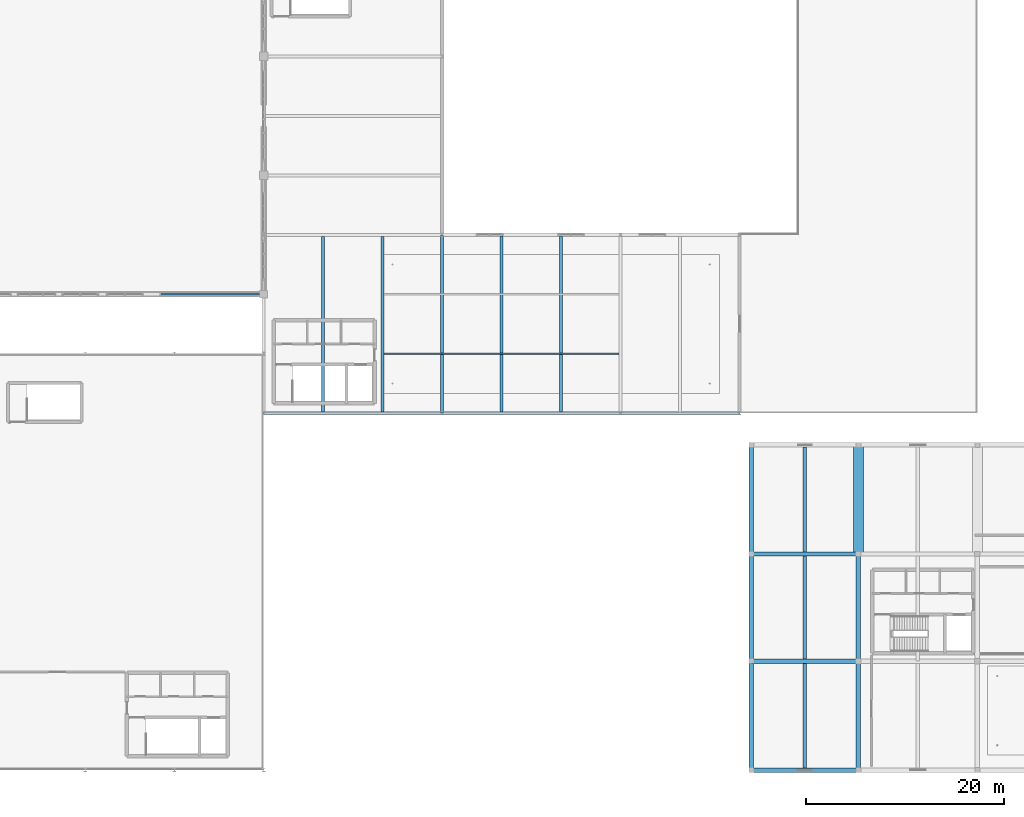
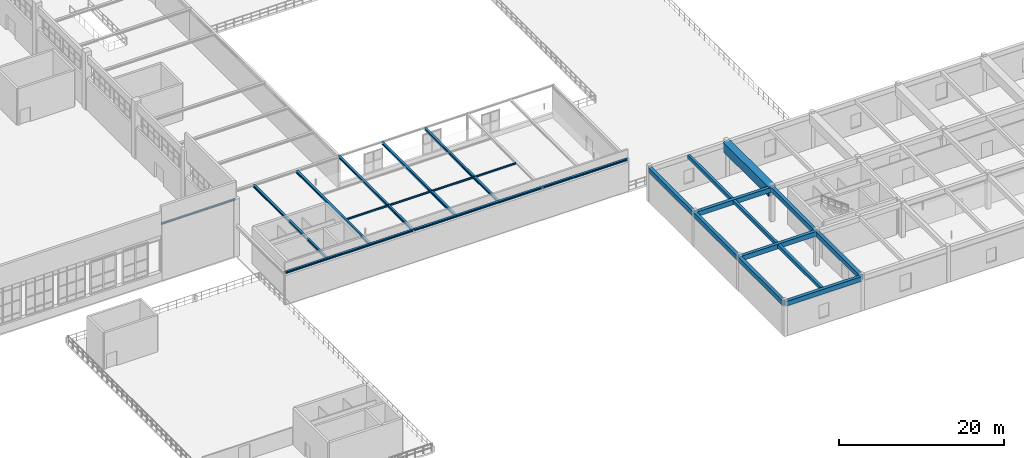
# One storey, part 23 of 97: 20 beams.
"""IFC4 building model written with IfcOpenShell, lengths in metres."""

from ifc_helpers import new_model, si_unit, derived_unit, direction, frame, origin, origin_2d, place, context, subcontext, project, spatial, rectangle, i_section, extrude, material, material_profile, profile_set, type_object, element, save


model = new_model("IFC4")

# Units and contexts
model_context = context("Model", 3, precision=1e-05, world=origin(), true_north=direction((0.0, 1.0)))
body_context = subcontext(model_context, "Body", "Model", "MODEL_VIEW")
ifc_project = project(units=[si_unit("LENGTHUNIT", "METRE"), si_unit("AREAUNIT", "SQUARE_METRE"), si_unit("VOLUMEUNIT", "CUBIC_METRE"), si_unit("PLANEANGLEUNIT", "RADIAN"), si_unit("MASSUNIT", "GRAM", prefix="KILO"), derived_unit("THERMALTRANSMITTANCEUNIT", [(si_unit("POWERUNIT", "WATT"), 1), (si_unit("LENGTHUNIT", "METRE"), -2), (si_unit("THERMODYNAMICTEMPERATUREUNIT", "KELVIN"), -1)])], contexts=[model_context])

# Site, building, storey
site_placement = place(None, origin())
site = spatial("IfcSite", under=ifc_project, at=site_placement, CompositionType="ELEMENT")
building_placement = place(site_placement, origin())
building = spatial("IfcBuilding", under=site, at=building_placement, Name="Almenara Railside Exhibition Hall", CompositionType="ELEMENT")
storey_placement = place(building_placement, frame((0.0, 0.0, 10.800048828125)))
storey = spatial("IfcBuildingStorey", under=building, at=storey_placement, Name="L02", CompositionType="ELEMENT", Elevation=10.800048828125)

# Beams
ifc_material_1 = material(Name="Concrete C35/45", Category="concrete")
ifc_material_profile_1 = material_profile(ifc_material_1, rectangle(XDim=0.449951171875, YDim=0.699951171875, at=origin_2d()), Name="RC 450x700")
ifc_profile_set_1 = profile_set([ifc_material_profile_1], Name="Concrete C35/45")
beam_type_1 = type_object("IfcBeamType", Name="RC Floor Beam 450x700 C35/45", PredefinedType="BEAM", material=ifc_profile_set_1)
for number, where, z_axis, x_axis, name in (
    (1, (115.199951171875, 0.0, 4.73583984375), (1.0, 0.0, 0.0), (0.0, 1.0, 0.0), "Beam 0254"),
    (2, (115.199951171875, 11.0, 4.73583984375), (1.0, 0.0, 0.0), (0.0, 1.0, 0.0), "Beam 0262"),
    (3, (115.199951171875, 21.800048828125, 4.73583984375), (1.0, 0.0, 0.0), (0.0, 1.0, 0.0), "Beam 0270"),
):
    element("IfcBeam", number, at=place(storey_placement, frame(where, z_axis=z_axis, x_axis=x_axis)), inside=storey, type_object=beam_type_1, Name=name, PredefinedType="BEAM", context=body_context, shape_type="SweptSolid", body=[
        extrude(rectangle(XDim=0.449951171875, YDim=0.699951171875, at=origin_2d()), origin(), (0.0, 0.0, 1.0), 10.800048828125),
    ])
beam_1_placement = place(storey_placement, frame((115.199951171875, 0.0, 4.73583984375), z_axis=(0.0, 1.0, 0.0), x_axis=(-1.0, 0.0, 0.0)))
element("IfcBeam", 4, at=beam_1_placement, inside=storey, type_object=beam_type_1, Name="Beam 0286", PredefinedType="BEAM", context=body_context, shape_type="SweptSolid", body=[
    extrude(rectangle(XDim=0.449951171875, YDim=0.699951171875, at=origin_2d()), origin(), (0.0, 0.0, 1.0), 11.0),
])
beam_2_placement = place(storey_placement, frame((115.199951171875, 11.0, 4.73583984375), z_axis=(0.0, 1.0, 0.0), x_axis=(-1.0, 0.0, 0.0)))
element("IfcBeam", 5, at=beam_2_placement, inside=storey, type_object=beam_type_1, Name="Beam 0287", PredefinedType="BEAM", context=body_context, shape_type="SweptSolid", body=[
    extrude(rectangle(XDim=0.449951171875, YDim=0.699951171875, at=origin_2d()), origin(), (0.0, 0.0, 1.0), 10.800048828125),
])
for number, where, z_axis, x_axis, name in (
    (6, (115.199951171875, 21.800048828125, 4.73583984375), (0.0, 1.0, 0.0), (-1.0, 0.0, 0.0), "Beam 0288"),
    (7, (126.0, 0.0, 4.73583984375), (0.0, 1.0, 0.0), (-1.0, 0.0, 0.0), "Beam 0289"),
):
    element("IfcBeam", number, at=place(storey_placement, frame(where, z_axis=z_axis, x_axis=x_axis)), inside=storey, type_object=beam_type_1, Name=name, PredefinedType="BEAM", context=body_context, shape_type="SweptSolid", body=[
        extrude(rectangle(XDim=0.449951171875, YDim=0.699951171875, at=origin_2d()), origin(), (0.0, 0.0, 1.0), 11.0),
    ])
beam_3_placement = place(storey_placement, frame((126.0, 11.0, 4.73583984375), z_axis=(0.0, 1.0, 0.0), x_axis=(-1.0, 0.0, 0.0)))
element("IfcBeam", 8, at=beam_3_placement, inside=storey, type_object=beam_type_1, Name="Beam 0290", PredefinedType="BEAM", context=body_context, shape_type="SweptSolid", body=[
    extrude(rectangle(XDim=0.449951171875, YDim=0.699951171875, at=origin_2d()), origin(), (0.0, 0.0, 1.0), 10.800048828125),
])
ifc_material_2 = material(Name="Concrete C40/50", Category="concrete")
ifc_material_profile_2 = material_profile(ifc_material_2, rectangle(XDim=1.0, YDim=1.39990234375, at=origin_2d()), Name="RC 1000x1400")
ifc_profile_set_2 = profile_set([ifc_material_profile_2], Name="Concrete C40/50")
beam_type_2 = type_object("IfcBeamType", Name="RC Primary Girder 1000x1400 C40/50", PredefinedType="USERDEFINED", material=ifc_profile_set_2)
beam_4_placement = place(storey_placement, frame((126.0, 21.800048828125, 4.385986328125), z_axis=(0.0, 1.0, 0.0), x_axis=(-1.0, 0.0, 0.0)))
element("IfcBeam", 9, at=beam_4_placement, inside=storey, type_object=beam_type_2, Name="Beam 0291", ObjectType="GIRDER", PredefinedType="USERDEFINED", context=body_context, shape_type="SweptSolid", body=[
    extrude(rectangle(XDim=1.0, YDim=1.39990234375, at=origin_2d()), origin(), (0.0, 0.0, 1.0), 11.0),
])
ifc_material_profile_3 = material_profile(ifc_material_1, rectangle(XDim=0.35009765625, YDim=0.5, at=origin_2d()), Name="RC 350x500")
ifc_profile_set_3 = profile_set([ifc_material_profile_3], Name="Concrete C35/45")
beam_type_3 = type_object("IfcBeamType", Name="RC Spandrel Tie Beam 350x500 C35/45", PredefinedType="SPANDREL", material=ifc_profile_set_3)
beam_5_placement = place(storey_placement, frame((120.60009765625, 0.22509765625, 4.8359375), z_axis=(0.0, 1.0, 0.0), x_axis=(-1.0, 0.0, 0.0)))
element("IfcBeam", 10, at=beam_5_placement, inside=storey, type_object=beam_type_3, Name="Beam 0314", PredefinedType="SPANDREL", context=body_context, shape_type="SweptSolid", body=[
    extrude(rectangle(XDim=0.35009765625, YDim=0.5, at=origin_2d()), origin(), (0.0, 0.0, 1.0), 10.5498046875),
])
beam_6_placement = place(storey_placement, frame((120.60009765625, 11.22509765625, 4.8359375), z_axis=(0.0, 1.0, 0.0), x_axis=(-1.0, 0.0, 0.0)))
element("IfcBeam", 11, at=beam_6_placement, inside=storey, type_object=beam_type_3, Name="Beam 0315", PredefinedType="SPANDREL", context=body_context, shape_type="SweptSolid", body=[
    extrude(rectangle(XDim=0.35009765625, YDim=0.5, at=origin_2d()), origin(), (0.0, 0.0, 1.0), 10.349853515625),
])
beam_7_placement = place(storey_placement, frame((120.60009765625, 22.02490234375, 4.8359375), z_axis=(0.0, 1.0, 0.0), x_axis=(-1.0, 0.0, 0.0)))
element("IfcBeam", 12, at=beam_7_placement, inside=storey, type_object=beam_type_3, Name="Beam 0316", PredefinedType="SPANDREL", context=body_context, shape_type="SweptSolid", body=[
    extrude(rectangle(XDim=0.35009765625, YDim=0.5, at=origin_2d()), origin(), (0.0, 0.0, 1.0), 10.550048828125),
])
ifc_material_3 = material(Name="Structural steel S355JR", Category="steel")
ifc_material_profile_4 = material_profile(ifc_material_3, i_section(OverallWidth=0.280029296875, OverallDepth=0.27001953125, WebThickness=0.008056640625, FlangeThickness=0.012939453125, FilletRadius=0.02392578125, at=origin_2d()), Name="HEA 280")
ifc_profile_set_4 = profile_set([ifc_material_profile_4], Name="Structural steel S355JR")
beam_type_4 = type_object("IfcBeamType", Name="Steel Arcade Beam HEA 280 S355JR", PredefinedType="BEAM", material=ifc_profile_set_4)
beam_8_placement = place(storey_placement, frame((66.0, 36.0, 4.660888671875), z_axis=(1.0, 0.0, 0.0), x_axis=(0.0, 1.0, 0.0)))
element("IfcBeam", 13, at=beam_8_placement, inside=storey, type_object=beam_type_4, Name="Beam 0843", PredefinedType="BEAM", context=body_context, shape_type="SweptSolid", body=[
    extrude(i_section(OverallWidth=0.280029296875, OverallDepth=0.27001953125, WebThickness=0.008056640625, FlangeThickness=0.012939453125, FilletRadius=0.02392578125, at=origin_2d()), origin(), (0.0, 0.0, 1.0), 48.0),
])
ifc_material_profile_5 = material_profile(ifc_material_3, i_section(OverallWidth=0.1650390625, OverallDepth=0.303466796875, WebThickness=0.006103515625, FlangeThickness=0.01025390625, FilletRadius=0.0087890625, at=origin_2d()), Name="UB 305x165x40")
ifc_profile_set_5 = profile_set([ifc_material_profile_5], Name="Structural steel S355JR")
beam_type_5 = type_object("IfcBeamType", Name="Steel Canopy Edge Spandrel UB 305x165x40 S355JR", PredefinedType="SPANDREL", material=ifc_profile_set_5)
beam_9_placement = place(storey_placement, frame((55.60009765625, 48.0, 8.248291015625), z_axis=(1.0, 0.0, 0.0), x_axis=(0.0, 1.0, 0.0)))
element("IfcBeam", 14, at=beam_9_placement, inside=storey, type_object=beam_type_5, Name="BM-CRNLNT-V1G3-48", PredefinedType="SPANDREL", context=body_context, shape_type="SweptSolid", body=[
    extrude(i_section(OverallWidth=0.1650390625, OverallDepth=0.303466796875, WebThickness=0.006103515625, FlangeThickness=0.01025390625, FilletRadius=0.0087890625, at=origin_2d()), origin(), (0.0, 0.0, 1.0), 10.39990234375),
])
ifc_material_profile_6 = material_profile(ifc_material_3, i_section(OverallWidth=0.300048828125, OverallDepth=0.330078125, WebThickness=0.009521484375, FlangeThickness=0.0166015625, FilletRadius=0.027099609375, at=origin_2d()), Name="HEA 340")
ifc_profile_set_6 = profile_set([ifc_material_profile_6], Name="Structural steel S355JR")
beam_type_6 = type_object("IfcBeamType", Name="Steel Concourse Vault Rib HEA 340 S355JR", PredefinedType="BEAM", material=ifc_profile_set_6)
for number, where, z_axis, x_axis, name in (
    (15, (72.0, 36.139892578125, 4.630859375), (0.0, 1.0, 0.0), (-1.0, 0.0, 0.0), "Beam 0826"),
    (16, (78.0, 36.139892578125, 4.630859375), (0.0, 1.0, 0.0), (-1.0, 0.0, 0.0), "Beam 0827"),
):
    element("IfcBeam", number, at=place(storey_placement, frame(where, z_axis=z_axis, x_axis=x_axis)), inside=storey, type_object=beam_type_6, Name=name, PredefinedType="BEAM", context=body_context, shape_type="SweptSolid", body=[
        extrude(i_section(OverallWidth=0.300048828125, OverallDepth=0.330078125, WebThickness=0.009521484375, FlangeThickness=0.0166015625, FilletRadius=0.027099609375, at=origin_2d()), origin(), (0.0, 0.0, 1.0), 17.710205078125),
    ])
beam_10_placement = place(storey_placement, frame((84.0, 36.0, 4.630859375), z_axis=(0.0, 1.0, 0.0), x_axis=(-1.0, 0.0, 0.0)))
element("IfcBeam", 17, at=beam_10_placement, inside=storey, type_object=beam_type_6, Name="Beam 0828", PredefinedType="BEAM", context=body_context, shape_type="SweptSolid", body=[
    extrude(i_section(OverallWidth=0.300048828125, OverallDepth=0.330078125, WebThickness=0.009521484375, FlangeThickness=0.0166015625, FilletRadius=0.027099609375, at=origin_2d()), origin(), (0.0, 0.0, 1.0), 18.0),
])
for number, where, z_axis, x_axis, name in (
    (18, (90.0, 36.139892578125, 4.630859375), (0.0, 1.0, 0.0), (-1.0, 0.0, 0.0), "Beam 0829"),
    (19, (96.0, 36.139892578125, 4.630859375), (0.0, 1.0, 0.0), (-1.0, 0.0, 0.0), "Beam 0830"),
):
    element("IfcBeam", number, at=place(storey_placement, frame(where, z_axis=z_axis, x_axis=x_axis)), inside=storey, type_object=beam_type_6, Name=name, PredefinedType="BEAM", context=body_context, shape_type="SweptSolid", body=[
        extrude(i_section(OverallWidth=0.300048828125, OverallDepth=0.330078125, WebThickness=0.009521484375, FlangeThickness=0.0166015625, FilletRadius=0.027099609375, at=origin_2d()), origin(), (0.0, 0.0, 1.0), 17.75),
    ])
ifc_material_profile_7 = material_profile(ifc_material_3, i_section(OverallWidth=0.146484375, OverallDepth=0.256103515625, WebThickness=0.00634765625, FlangeThickness=0.010986328125, FilletRadius=0.007568359375, at=origin_2d()), Name="UB 254x146x37")
ifc_profile_set_7 = profile_set([ifc_material_profile_7], Name="Structural steel S355JR")
beam_type_7 = type_object("IfcBeamType", Name="Steel Lantern Trimmer Joist UB 254x146x37 S355JR", PredefinedType="JOIST", material=ifc_profile_set_7)
beam_11_placement = place(storey_placement, frame((78.14990234375, 42.0, 4.66796875), z_axis=(1.0, 0.0, 0.0), x_axis=(0.0, 1.0, 0.0)))
element("IfcBeam", 20, at=beam_11_placement, inside=storey, type_object=beam_type_7, Name="Beam 0957", PredefinedType="JOIST", context=body_context, shape_type="SweptSolid", body=[
    extrude(i_section(OverallWidth=0.146484375, OverallDepth=0.256103515625, WebThickness=0.00634765625, FlangeThickness=0.010986328125, FilletRadius=0.007568359375, at=origin_2d()), origin(), (0.0, 0.0, 1.0), 23.7001953125),
])

save(model, "model.ifc")
